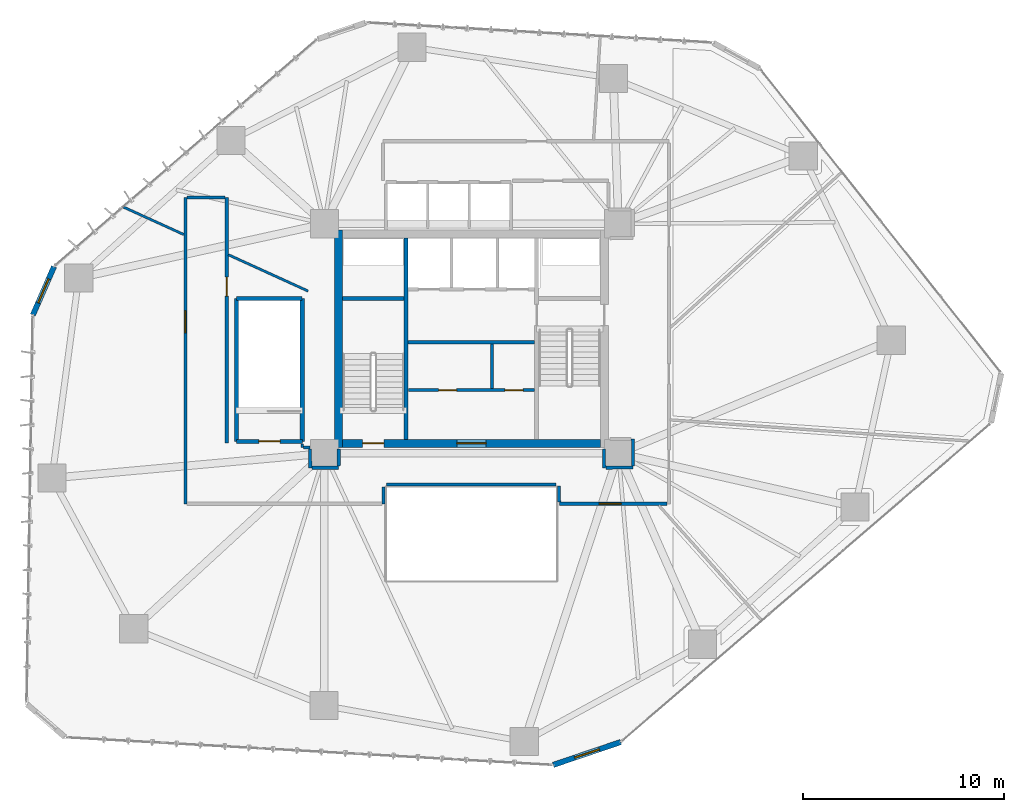
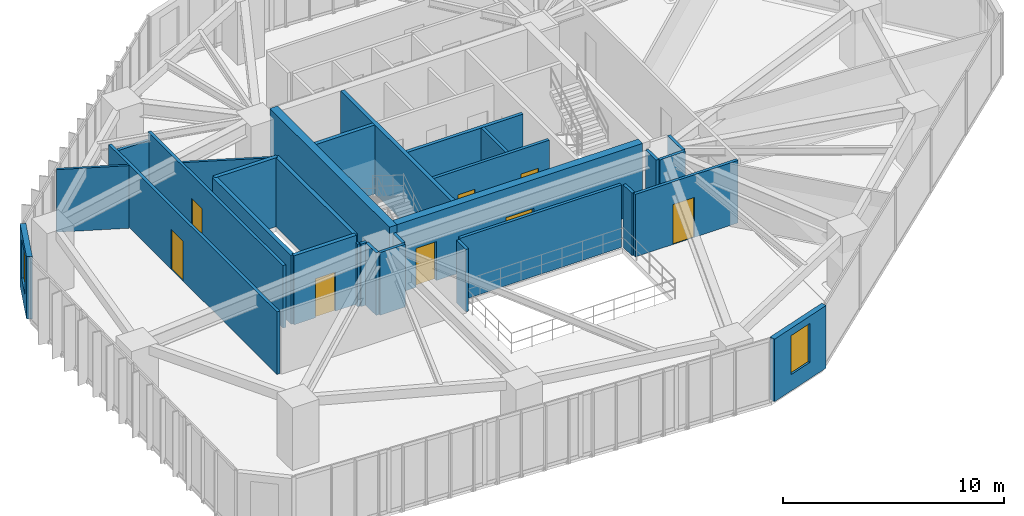
# One storey, part 19 of 24: 30 walls, 8 doors, 2 windows, 10 openings.
"""IFC4 building model written with IfcOpenShell, lengths in metres."""

from ifc_helpers import new_model, si_unit, direction, frame, frame_2d, origin, place, context, subcontext, project, spatial, rectangle, extrude, source, transform, mapped, material, layer, layer_set, type_object, type_shapes, element, fill, save


model = new_model("IFC4")

# Units and contexts
model_context = context("Model", 3, precision=1e-05, world=origin(), true_north=direction((0.0, 1.0)))
body_context = subcontext(model_context, "Body", "Model", "MODEL_VIEW")
ifc_project = project(units=[si_unit("LENGTHUNIT", "METRE"), si_unit("AREAUNIT", "SQUARE_METRE"), si_unit("VOLUMEUNIT", "CUBIC_METRE"), si_unit("PLANEANGLEUNIT", "RADIAN"), si_unit("MASSUNIT", "GRAM", prefix="KILO")], contexts=[model_context])

# Site, building, storey
site_placement = place(None, origin())
site = spatial("IfcSite", under=ifc_project, at=site_placement, CompositionType="ELEMENT")
building_placement = place(site_placement, origin())
building = spatial("IfcBuilding", under=site, at=building_placement, Name="Talar Marvaseh", CompositionType="ELEMENT")
storey_placement = place(building_placement, frame((0.0, 0.0, 81.0)))
storey = spatial("IfcBuildingStorey", under=building, at=storey_placement, Name="L20", CompositionType="ELEMENT", Elevation=81.0)

# Wall, opening, window
ifc_material_1 = material(Name="Precast concrete C45/55", Category="concrete")
ifc_layer_1 = layer(ifc_material_1, 0.27001953125)
ifc_layer_set_1 = layer_set([ifc_layer_1], Name="Precast concrete C45/55")
wall_type_1 = type_object("IfcWallType", Name="Chamfered Hexagonal Corner Pier Wall Z1 270", PredefinedType="SOLIDWALL", material=ifc_layer_set_1)
wall_1_placement = place(storey_placement, frame((4.22412109375, 32.371337890625, 0.0), z_axis=(0.0, 0.0, 1.0), x_axis=(0.400726074831, 0.916197911453, 0.0)))
wall_1 = element("IfcWall", 1, at=wall_1_placement, inside=storey, type_object=wall_type_1, Name="L20 Chamfered Corner Limestone Pier 2", PredefinedType="SOLIDWALL", context=body_context, shape_type="SweptSolid", body=[
    extrude(rectangle(XDim=2.623291015625, YDim=0.27001953125, at=frame_2d((1.3115234375, 0.0))), origin(), (0.0, 0.0, 1.0), 3.449951171875),
])
opening_1_placement = place(wall_1_placement, frame((0.662109375, 0.0, 0.89990234375)))
opening_1 = element("IfcOpeningElement", 2, at=opening_1_placement, cuts=wall_1, Name="Opening WN-CHM13", PredefinedType="OPENING", context=body_context, shape_type="SweptSolid", body=[
    extrude(rectangle(XDim=1.300048828125, YDim=2.14990234375, at=frame_2d((0.64990234375, 1.074951171875))), frame((0.0, 0.14501953125, 0.0), z_axis=(0.0, -1.0, 0.0), x_axis=(1.0, 0.0, 0.0)), (0.0, 0.0, 1.0), 0.2900390625),
])
ifc_material_2 = material(Name="Laminated Low-E Solar Glass", Category="glass")
window_type = type_object("IfcWindowType", Name="Zone 1 Chamfered Corner Slot Window 1300x2150", PartitioningType="SINGLE_PANEL", PredefinedType="WINDOW", material=ifc_material_2)
shared_shape_1 = source(origin(), body_context, "Body", "SweptSolid", [
    extrude(rectangle(XDim=1.300048828125, YDim=2.14990234375, at=frame_2d((0.64990234375, 1.074951171875))), frame((0.0, 0.030029296875, 0.0), z_axis=(0.0, -1.0, 0.0), x_axis=(1.0, 0.0, 0.0)), (0.0, 0.0, 1.0), 0.06005859375),
])
type_shapes(window_type, [shared_shape_1])
window_1_placement = place(opening_1_placement, origin())
window_1 = element("IfcWindow", 3, at=window_1_placement, inside=storey, type_object=window_type, Name="L20 Chamfered Corner Slot Window", OverallHeight=2.14990234375, OverallWidth=1.300048828125, PartitioningType="SINGLE_PANEL", PredefinedType="WINDOW", context=body_context, shape_type="MappedRepresentation", body=[
    mapped(shared_shape_1, transform((0.0, 0.0, 0.0), x_axis=(1.0, 0.0, 0.0), y_axis=(0.0, 1.0, 0.0), z_axis=(0.0, 0.0, 1.0), scale=1.0)),
])
fill(opening_1, window_1)

wall_2_placement = place(storey_placement, frame((33.41064453125, 11.16943359375, 0.0), z_axis=(0.0, 0.0, 1.0), x_axis=(-0.946922041675, -0.321463290269, 0.0)))
wall_2 = element("IfcWall", 4, at=wall_2_placement, inside=storey, type_object=wall_type_1, Name="L20 Chamfered Corner Limestone Pier 6", PredefinedType="SOLIDWALL", context=body_context, shape_type="SweptSolid", body=[
    extrude(rectangle(XDim=3.5361328125, YDim=0.27001953125, at=frame_2d((1.76806640625, 0.0))), origin(), (0.0, 0.0, 1.0), 3.449951171875),
])
opening_2_placement = place(wall_2_placement, frame((1.117919921875, 0.0, 0.89990234375)))
opening_2 = element("IfcOpeningElement", 5, at=opening_2_placement, cuts=wall_2, Name="Opening WN-CHM13", PredefinedType="OPENING", context=body_context, shape_type="SweptSolid", body=[
    extrude(rectangle(XDim=1.300048828125, YDim=2.14990234375, at=frame_2d((0.64990234375, 1.074951171875))), frame((0.0, 0.14501953125, 0.0), z_axis=(0.0, -1.0, 0.0), x_axis=(1.0, 0.0, 0.0)), (0.0, 0.0, 1.0), 0.2900390625),
])
window_2_placement = place(opening_2_placement, origin())
window_2 = element("IfcWindow", 6, at=window_2_placement, inside=storey, type_object=window_type, Name="L20 Chamfered Corner Slot Window", OverallHeight=2.14990234375, OverallWidth=1.300048828125, PartitioningType="SINGLE_PANEL", PredefinedType="WINDOW", context=body_context, shape_type="MappedRepresentation", body=[
    mapped(shared_shape_1, transform((0.0, 0.0, 0.0), x_axis=(1.0, 0.0, 0.0), y_axis=(0.0, 1.0, 0.0), z_axis=(0.0, 0.0, 1.0), scale=1.0)),
])
fill(opening_2, window_2)

# Wall, openings, doors
ifc_material_3 = material(Name="Gypsum Board Partition Assembly")
ifc_layer_2 = layer(ifc_material_3, 0.155029296875)
ifc_layer_set_2 = layer_set([ifc_layer_2], Name="Gypsum Board Partition Assembly")
wall_type_2 = type_object("IfcWallType", Name="Corridor Fire-Rated Acoustic Partition 155", PredefinedType="PARTITIONING", material=ifc_layer_set_2)
wall_3_placement = place(storey_placement, frame((22.865966796875, 28.639892578125, 0.0), z_axis=(0.0, 0.0, 1.0), x_axis=(1.0, 0.0, 0.0)))
wall_3 = element("IfcWall", 7, at=wall_3_placement, inside=storey, type_object=wall_type_2, Name="L20 Core BOH Partition", PredefinedType="PARTITIONING", context=body_context, shape_type="SweptSolid", body=[
    extrude(rectangle(XDim=6.26806640625, YDim=0.155029296875, at=frame_2d((3.134033203125, 0.0))), origin(), (0.0, 0.0, 1.0), 3.449951171875),
])
opening_3_placement = place(wall_3_placement, frame((1.5, 0.0, 0.0)))
opening_3 = element("IfcOpeningElement", 8, at=opening_3_placement, cuts=wall_3, Name="Opening DR-BOH090", PredefinedType="OPENING", context=body_context, shape_type="SweptSolid", body=[
    extrude(rectangle(XDim=0.89990234375, YDim=2.10009765625, at=frame_2d((0.449951171875, 1.050048828125))), frame((0.0, 0.08740234375, 0.0), z_axis=(0.0, -1.0, 0.0), x_axis=(1.0, 0.0, 0.0)), (0.0, 0.0, 1.0), 0.175048828125),
])
opening_4_placement = place(wall_3_placement, frame((4.800048828125, 0.0, 0.0)))
opening_4 = element("IfcOpeningElement", 9, at=opening_4_placement, cuts=wall_3, Name="Opening DR-BOH090", PredefinedType="OPENING", context=body_context, shape_type="SweptSolid", body=[
    extrude(rectangle(XDim=0.89990234375, YDim=2.10009765625, at=frame_2d((0.449951171875, 1.050048828125))), frame((0.0, 0.08740234375, 0.0), z_axis=(0.0, -1.0, 0.0), x_axis=(1.0, 0.0, 0.0)), (0.0, 0.0, 1.0), 0.175048828125),
])
ifc_material_4 = material(Name="Fire-Rated Steel Door Leaf", Category="steel")
door_type_1 = type_object("IfcDoorType", Name="Core Back-of-House Service Door 900x2100", OperationType="NOTDEFINED", PredefinedType="DOOR", material=ifc_material_4)
shared_shape_2 = source(origin(), body_context, "Body", "SweptSolid", [
    extrude(rectangle(XDim=0.89990234375, YDim=2.10009765625, at=frame_2d((0.449951171875, 1.050048828125))), frame((0.0, 0.02490234375, 0.0), z_axis=(0.0, -1.0, 0.0), x_axis=(1.0, 0.0, 0.0)), (0.0, 0.0, 1.0), 0.050048828125),
])
type_shapes(door_type_1, [shared_shape_2])
door_1_placement = place(opening_3_placement, origin())
door_1 = element("IfcDoor", 10, at=door_1_placement, inside=storey, type_object=door_type_1, Name="L20 Plant Core Comms Switch Room Door", OperationType="SINGLE_SWING_LEFT", OverallHeight=2.10009765625, OverallWidth=0.89990234375, PredefinedType="DOOR", context=body_context, shape_type="MappedRepresentation", body=[
    mapped(shared_shape_2, transform((0.0, 0.0, 0.0), x_axis=(1.0, 0.0, 0.0), y_axis=(0.0, 1.0, 0.0), z_axis=(0.0, 0.0, 1.0), scale=1.0)),
])
fill(opening_3, door_1)
door_2_placement = place(opening_4_placement, origin())
door_2 = element("IfcDoor", 11, at=door_2_placement, inside=storey, type_object=door_type_1, Name="L20 Cleaner Cupboard Door", OperationType="SINGLE_SWING_RIGHT", OverallHeight=2.10009765625, OverallWidth=0.89990234375, PredefinedType="DOOR", context=body_context, shape_type="MappedRepresentation", body=[
    mapped(shared_shape_2, transform((0.0, 0.0, 0.0), x_axis=(1.0, 0.0, 0.0), y_axis=(0.0, 1.0, 0.0), z_axis=(0.0, 0.0, 1.0), scale=1.0)),
])
fill(opening_4, door_2)

# Wall
wall_4_placement = place(storey_placement, frame((27.02001953125, 28.719970703125, 0.0), z_axis=(0.0, 0.0, 1.0), x_axis=(0.0, 1.0, 0.0)))
element("IfcWall", 12, at=wall_4_placement, inside=storey, type_object=wall_type_2, Name="L20 Core BOH Partition", PredefinedType="PARTITIONING", context=body_context, shape_type="SweptSolid", body=[
    extrude(rectangle(XDim=2.219970703125, YDim=0.155029296875, at=frame_2d((1.10986328125, 0.0))), origin(), (0.0, 0.0, 1.0), 3.449951171875),
])

# Wall, opening, door
wall_5_placement = place(storey_placement, frame((11.800048828125, 23.0, 0.0), z_axis=(0.0, 0.0, 1.0), x_axis=(0.0, 1.0, 0.0)))
wall_5 = element("IfcWall", 13, at=wall_5_placement, inside=storey, type_object=wall_type_2, Name="L20 Interior Partition Wall", PredefinedType="PARTITIONING", context=body_context, shape_type="SweptSolid", body=[
    extrude(rectangle(XDim=15.199951171875, YDim=0.155029296875, at=frame_2d((7.60009765625, 0.0))), origin(), (0.0, 0.0, 1.0), 3.449951171875),
])
opening_5_placement = place(wall_5_placement, frame((8.478271484375, 0.0, 0.0)))
opening_5 = element("IfcOpeningElement", 14, at=opening_5_placement, cuts=wall_5, Name="Opening DR-RM110", PredefinedType="OPENING", context=body_context, shape_type="SweptSolid", body=[
    extrude(rectangle(XDim=1.10009765625, YDim=2.199951171875, at=frame_2d((0.550048828125, 1.10009765625))), frame((0.0, 0.08740234375, 0.0), z_axis=(0.0, -1.0, 0.0), x_axis=(1.0, 0.0, 0.0)), (0.0, 0.0, 1.0), 0.175048828125),
])
ifc_material_5 = material(Name="Acoustic Engineered Oak Timber", Category="wood")
door_type_2 = type_object("IfcDoorType", Name="Assembly and Reading Hall Door 1100x2200", OperationType="NOTDEFINED", PredefinedType="DOOR", material=ifc_material_5)
shared_shape_3 = source(origin(), body_context, "Body", "SweptSolid", [
    extrude(rectangle(XDim=1.10009765625, YDim=2.199951171875, at=frame_2d((0.550048828125, 1.10009765625))), frame((0.0, 0.02490234375, 0.0), z_axis=(0.0, -1.0, 0.0), x_axis=(1.0, 0.0, 0.0)), (0.0, 0.0, 1.0), 0.050048828125),
])
type_shapes(door_type_2, [shared_shape_3])
door_3_placement = place(opening_5_placement, origin())
door_3 = element("IfcDoor", 15, at=door_3_placement, inside=storey, type_object=door_type_2, Name="L20 Gallery Security Control Room Door", OperationType="SINGLE_SWING_RIGHT", OverallHeight=2.199951171875, OverallWidth=1.10009765625, PredefinedType="DOOR", context=body_context, shape_type="MappedRepresentation", body=[
    mapped(shared_shape_3, transform((0.0, 0.0, 0.0), x_axis=(1.0, 0.0, 0.0), y_axis=(0.0, 1.0, 0.0), z_axis=(0.0, 0.0, 1.0), scale=1.0)),
])
fill(opening_5, door_3)

wall_6_placement = place(storey_placement, frame((13.85009765625, 38.199951171875, 0.0), z_axis=(0.0, 0.0, 1.0), x_axis=(0.0, -1.0, 0.0)))
wall_6 = element("IfcWall", 16, at=wall_6_placement, inside=storey, type_object=wall_type_2, Name="L20 Interior Partition Wall", PredefinedType="PARTITIONING", context=body_context, shape_type="SweptSolid", body=[
    extrude(rectangle(XDim=12.179931640625, YDim=0.155029296875, at=frame_2d((6.08984375, 0.0))), origin(), (0.0, 0.0, 1.0), 3.449951171875),
])
opening_6_placement = place(wall_6_placement, frame((3.945068359375, 0.0, 0.0)))
opening_6 = element("IfcOpeningElement", 17, at=opening_6_placement, cuts=wall_6, Name="Opening DR-WC095", PredefinedType="OPENING", context=body_context, shape_type="SweptSolid", body=[
    extrude(rectangle(XDim=0.949951171875, YDim=2.14990234375, at=frame_2d((0.47509765625, 1.074951171875))), frame((0.0, 0.08740234375, 0.0), z_axis=(0.0, -1.0, 0.0), x_axis=(1.0, 0.0, 0.0)), (0.0, 0.0, 1.0), 0.175048828125),
])
door_type_3 = type_object("IfcDoorType", Name="Washroom and Service Room Door 950x2150", OperationType="NOTDEFINED", PredefinedType="DOOR", material=ifc_material_5)
shared_shape_4 = source(origin(), body_context, "Body", "SweptSolid", [
    extrude(rectangle(XDim=0.949951171875, YDim=2.14990234375, at=frame_2d((0.47509765625, 1.074951171875))), frame((0.0, 0.02490234375, 0.0), z_axis=(0.0, -1.0, 0.0), x_axis=(1.0, 0.0, 0.0)), (0.0, 0.0, 1.0), 0.050048828125),
])
type_shapes(door_type_3, [shared_shape_4])
door_4_placement = place(opening_6_placement, origin())
door_4 = element("IfcDoor", 18, at=door_4_placement, inside=storey, type_object=door_type_3, Name="L20 WC Public Washrooms Door", OperationType="SINGLE_SWING_LEFT", OverallHeight=2.14990234375, OverallWidth=0.949951171875, PredefinedType="DOOR", context=body_context, shape_type="MappedRepresentation", body=[
    mapped(shared_shape_4, transform((0.0, 0.0, 0.0), x_axis=(1.0, 0.0, 0.0), y_axis=(0.0, 1.0, 0.0), z_axis=(0.0, 0.0, 1.0), scale=1.0)),
])
fill(opening_6, door_4)

wall_7_placement = place(storey_placement, frame((35.716552734375, 23.0, 0.0), z_axis=(0.0, 0.0, 1.0), x_axis=(-1.0, 0.0, 0.0)))
wall_7 = element("IfcWall", 19, at=wall_7_placement, inside=storey, type_object=wall_type_2, Name="L20 Interior Partition Wall", PredefinedType="PARTITIONING", context=body_context, shape_type="SweptSolid", body=[
    extrude(rectangle(XDim=5.3564453125, YDim=0.155029296875, at=frame_2d((2.67822265625, 0.0))), origin(), (0.0, 0.0, 1.0), 3.449951171875),
])
opening_7_placement = place(wall_7_placement, frame((2.27978515625, 0.0, 0.0)))
opening_7 = element("IfcOpeningElement", 20, at=opening_7_placement, cuts=wall_7, Name="Opening DR-RM110", PredefinedType="OPENING", context=body_context, shape_type="SweptSolid", body=[
    extrude(rectangle(XDim=1.10009765625, YDim=2.199951171875, at=frame_2d((0.550048828125, 1.10009765625))), frame((0.0, 0.08740234375, 0.0), z_axis=(0.0, -1.0, 0.0), x_axis=(1.0, 0.0, 0.0)), (0.0, 0.0, 1.0), 0.175048828125),
])
door_5_placement = place(opening_7_placement, origin())
door_5 = element("IfcDoor", 21, at=door_5_placement, inside=storey, type_object=door_type_2, Name="L20 Exhibition Gallery Door", OperationType="SINGLE_SWING_LEFT", OverallHeight=2.199951171875, OverallWidth=1.10009765625, PredefinedType="DOOR", context=body_context, shape_type="MappedRepresentation", body=[
    mapped(shared_shape_3, transform((0.0, 0.0, 0.0), x_axis=(1.0, 0.0, 0.0), y_axis=(0.0, 1.0, 0.0), z_axis=(0.0, 0.0, 1.0), scale=1.0)),
])
fill(opening_7, door_5)

# Walls
wall_8_placement = place(storey_placement, frame((30.199951171875, 23.9599609375, 0.0), z_axis=(0.0, 0.0, 1.0), x_axis=(-0.999999996213, -8.7029677e-05, 0.0)))
element("IfcWall", 22, at=wall_8_placement, inside=storey, type_object=wall_type_2, Name="L20 Interior Partition Wall", PredefinedType="PARTITIONING", context=body_context, shape_type="SweptSolid", body=[
    extrude(rectangle(XDim=8.415771484375, YDim=0.155029296875, at=frame_2d((4.2080078125, 0.0))), origin(), (0.0, 0.0, 1.0), 3.449951171875),
])
wall_9_placement = place(storey_placement, frame((21.64306640625, 23.831298828125, 0.0), z_axis=(0.0, 0.0, 1.0), x_axis=(-0.003817887006, -0.999992711843, 0.0)))
element("IfcWall", 23, at=wall_9_placement, inside=storey, type_object=wall_type_2, Name="L20 Interior Partition Wall", PredefinedType="PARTITIONING", context=body_context, shape_type="SweptSolid", body=[
    extrude(rectangle(XDim=0.831298828125, YDim=0.155029296875, at=frame_2d((0.41552734375, 0.0))), origin(), (0.0, 0.0, 1.0), 3.449951171875),
])
wall_10_placement = place(storey_placement, frame((11.883544921875, 38.199951171875, 0.0), z_axis=(0.0, 0.0, 1.0), x_axis=(1.0, 0.0, 0.0)))
element("IfcWall", 24, at=wall_10_placement, inside=storey, type_object=wall_type_2, Name="L20 Interior Partition Wall", PredefinedType="PARTITIONING", context=body_context, shape_type="SweptSolid", body=[
    extrude(rectangle(XDim=1.883056640625, YDim=0.155029296875, at=frame_2d((0.94140625, 0.0))), origin(), (0.0, 0.0, 1.0), 3.011962890625),
])
wall_11_placement = place(storey_placement, frame((17.666015625, 25.800048828125, 0.0), z_axis=(0.0, 0.0, 1.0), x_axis=(1.0, 0.0, 0.0)))
element("IfcWall", 25, at=wall_11_placement, inside=storey, type_object=wall_type_2, Name="L20 Interior Partition Wall", PredefinedType="PARTITIONING", context=body_context, shape_type="SweptSolid", body=[
    extrude(rectangle(XDim=0.319091796875, YDim=0.155029296875, at=frame_2d((0.15966796875, 0.0))), origin(), (0.0, 0.0, 1.0), 3.449951171875),
])
wall_12_placement = place(storey_placement, frame((17.986083984375, 25.716552734375, 0.0), z_axis=(0.0, 0.0, 1.0), x_axis=(0.013367088724, -0.999910656478, 0.0)))
element("IfcWall", 26, at=wall_12_placement, inside=storey, type_object=wall_type_2, Name="L20 Interior Partition Wall", PredefinedType="PARTITIONING", context=body_context, shape_type="SweptSolid", body=[
    extrude(rectangle(XDim=0.931396484375, YDim=0.155029296875, at=frame_2d((0.4658203125, 0.0))), origin(), (0.0, 0.0, 1.0), 3.449951171875),
])
wall_13_placement = place(storey_placement, frame((18.08203125, 24.78515625, 0.0), z_axis=(0.0, 0.0, 1.0), x_axis=(0.99999830547, 0.001840939443, 0.0)))
element("IfcWall", 27, at=wall_13_placement, inside=storey, type_object=wall_type_2, Name="L20 Interior Partition Wall", PredefinedType="PARTITIONING", context=body_context, shape_type="SweptSolid", body=[
    extrude(rectangle(XDim=1.326171875, YDim=0.155029296875, at=frame_2d((0.6630859375, 0.0))), origin(), (0.0, 0.0, 1.0), 3.449951171875),
])
wall_14_placement = place(storey_placement, frame((19.408935546875, 24.87109375, 0.0), z_axis=(0.0, 0.0, 1.0), x_axis=(0.007106130977, 0.999974751133, 0.0)))
element("IfcWall", 28, at=wall_14_placement, inside=storey, type_object=wall_type_2, Name="L20 Interior Partition Wall", PredefinedType="PARTITIONING", context=body_context, shape_type="SweptSolid", body=[
    extrude(rectangle(XDim=0.85888671875, YDim=0.155029296875, at=frame_2d((0.429443359375, 0.0))), origin(), (0.0, 0.0, 1.0), 3.449951171875),
])
wall_15_placement = place(storey_placement, frame((32.5849609375, 25.72998046875, 0.0), z_axis=(0.0, 0.0, 1.0), x_axis=(0.007253695172, -0.999973691607, 0.0)))
element("IfcWall", 29, at=wall_15_placement, inside=storey, type_object=wall_type_2, Name="L20 Interior Partition Wall", PredefinedType="PARTITIONING", context=body_context, shape_type="SweptSolid", body=[
    extrude(rectangle(XDim=0.9423828125, YDim=0.155029296875, at=frame_2d((0.47119140625, 0.0))), origin(), (0.0, 0.0, 1.0), 3.449951171875),
])
wall_16_placement = place(storey_placement, frame((32.67529296875, 24.788330078125, 0.0), z_axis=(0.0, 0.0, 1.0), x_axis=(0.999961738884, 0.008747614993, 0.0)))
element("IfcWall", 30, at=wall_16_placement, inside=storey, type_object=wall_type_2, Name="L20 Interior Partition Wall", PredefinedType="PARTITIONING", context=body_context, shape_type="SweptSolid", body=[
    extrude(rectangle(XDim=1.339599609375, YDim=0.155029296875, at=frame_2d((0.669921875, 0.0))), origin(), (0.0, 0.0, 1.0), 3.449951171875),
])
wall_17_placement = place(storey_placement, frame((34.014892578125, 24.883544921875, 0.0), z_axis=(0.0, 0.0, 1.0), x_axis=(-0.002393659134, 0.999997135194, 0.0)))
element("IfcWall", 31, at=wall_17_placement, inside=storey, type_object=wall_type_2, Name="L20 Interior Partition Wall", PredefinedType="PARTITIONING", context=body_context, shape_type="SweptSolid", body=[
    extrude(rectangle(XDim=1.325927734375, YDim=0.155029296875, at=frame_2d((0.6630859375, 0.0))), origin(), (0.0, 0.0, 1.0), 3.449951171875),
])
wall_18_placement = place(storey_placement, frame((30.358154296875, 23.08349609375, 0.0), z_axis=(0.0, 0.0, 1.0), x_axis=(-0.021573276475, 0.999767269789, 0.0)))
element("IfcWall", 32, at=wall_18_placement, inside=storey, type_object=wall_type_2, Name="L20 Interior Partition Wall", PredefinedType="PARTITIONING", context=body_context, shape_type="SweptSolid", body=[
    extrude(rectangle(XDim=0.792236328125, YDim=0.155029296875, at=frame_2d((0.39599609375, 0.0))), origin(), (0.0, 0.0, 1.0), 3.449951171875),
])
ifc_layer_3 = layer(ifc_material_3, 0.1201171875)
ifc_layer_set_3 = layer_set([ifc_layer_3], Name="Gypsum Board Partition Assembly")
wall_type_3 = type_object("IfcWallType", Name="Demountable Studio Room Partition 120", PredefinedType="PARTITIONING", material=ifc_layer_set_3)
wall_19_placement = place(storey_placement, frame((17.60009765625, 25.96240234375, 0.0), z_axis=(0.0, 0.0, 1.0), x_axis=(0.0, -1.0, 0.0)))
element("IfcWall", 33, at=wall_19_placement, inside=storey, type_object=wall_type_3, Name="L20 Interior Partition Wall", PredefinedType="PARTITIONING", context=body_context, shape_type="SweptSolid", body=[
    extrude(rectangle(XDim=0.1748046875, YDim=0.1201171875, at=frame_2d((0.08740234375, 0.0))), origin(), (0.0, 0.0, 1.0), 3.449951171875),
])
wall_20_placement = place(storey_placement, frame((17.889892578125, 33.56005859375, 0.0), z_axis=(0.0, 0.0, 1.0), x_axis=(-0.910046949834, 0.414505185852, 0.0)))
element("IfcWall", 34, at=wall_20_placement, inside=storey, type_object=wall_type_3, Name="L20 Interior Partition Wall", PredefinedType="PARTITIONING", context=body_context, shape_type="SweptSolid", body=[
    extrude(rectangle(XDim=4.347412109375, YDim=0.1201171875, at=frame_2d((2.173828125, 0.0))), origin(), (0.0, 0.0, 1.0), 3.449951171875),
])
wall_21_placement = place(storey_placement, frame((11.716552734375, 36.367919921875, 0.0), z_axis=(0.0, 0.0, 1.0), x_axis=(-0.910147724512, 0.414283863511, 0.0)))
element("IfcWall", 35, at=wall_21_placement, inside=storey, type_object=wall_type_3, Name="L20 Interior Partition Wall", PredefinedType="PARTITIONING", context=body_context, shape_type="SweptSolid", body=[
    extrude(rectangle(XDim=3.288818359375, YDim=0.1201171875, at=frame_2d((1.64453125, 0.0))), origin(), (0.0, 0.0, 1.0), 3.449951171875),
])
ifc_layer_4 = layer(ifc_material_1, 0.175048828125)
ifc_layer_set_4 = layer_set([ifc_layer_4], Name="Precast concrete C45/55")
wall_type_4 = type_object("IfcWallType", Name="Fire-Rated Lift Hoistway Enclosure Wall 175", PredefinedType="SOLIDWALL", material=ifc_layer_set_4)
wall_22_placement = place(storey_placement, frame((22.860107421875, 31.02001953125, 0.0), z_axis=(0.0, 0.0, 1.0), x_axis=(1.0, 0.0, 0.0)))
element("IfcWall", 36, at=wall_22_placement, inside=storey, type_object=wall_type_4, Name="L20 Firefighting Lobby South Smoke Wall", PredefinedType="SOLIDWALL", context=body_context, shape_type="SweptSolid", body=[
    extrude(rectangle(XDim=6.27978515625, YDim=0.175048828125, at=frame_2d((3.139892578125, 0.0))), origin(), (0.0, 0.0, 1.0), 3.449951171875),
])
ifc_material_6 = material(Name="Concrete C70/85", Category="concrete")
ifc_layer_5 = layer(ifc_material_6, 0.39990234375)
ifc_layer_set_5 = layer_set([ifc_layer_5], Name="Concrete C70/85")
wall_type_5 = type_object("IfcWallType", Name="Lower Core Reinforced Concrete Shear Wall 400", PredefinedType="SHEAR", material=ifc_layer_set_5)
wall_23_placement = place(storey_placement, frame((19.39990234375, 25.800048828125, 0.0), z_axis=(0.0, 0.0, 1.0), x_axis=(0.0, 1.0, 0.0)))
element("IfcWall", 37, at=wall_23_placement, inside=storey, type_object=wall_type_5, Name="L20 West Core Shear Wall", PredefinedType="SHEAR", context=body_context, shape_type="SweptSolid", body=[
    extrude(rectangle(XDim=10.800048828125, YDim=0.39990234375, at=frame_2d((5.39990234375, 0.0))), origin(), (0.0, 0.0, 1.0), 3.800048828125),
])

# Wall, openings, doors
wall_24_placement = place(storey_placement, frame((32.39990234375, 26.0, 0.0), z_axis=(0.0, 0.0, 1.0), x_axis=(-1.0, 0.0, 0.0)))
wall_24 = element("IfcWall", 38, at=wall_24_placement, inside=storey, type_object=wall_type_5, Name="L20 South Core Shear Wall", PredefinedType="SHEAR", context=body_context, shape_type="SweptSolid", body=[
    extrude(rectangle(XDim=12.7998046875, YDim=0.39990234375, at=frame_2d((6.39990234375, 0.0))), origin(), (0.0, 0.0, 1.0), 3.800048828125),
])
opening_8_placement = place(wall_24_placement, frame((10.75, 0.0, 0.0)))
opening_8 = element("IfcOpeningElement", 39, at=opening_8_placement, cuts=wall_24, Name="Opening DR-ST105", PredefinedType="OPENING", context=body_context, shape_type="SweptSolid", body=[
    extrude(rectangle(XDim=1.050048828125, YDim=2.14990234375, at=frame_2d((0.52490234375, 1.074951171875))), frame((0.0, 0.2099609375, 0.0), z_axis=(0.0, -1.0, 0.0), x_axis=(1.0, 0.0, 0.0)), (0.0, 0.0, 1.0), 0.419921875),
])
opening_9_placement = place(wall_24_placement, frame((5.669921875, 0.0, 0.0)))
opening_9 = element("IfcOpeningElement", 40, at=opening_9_placement, cuts=wall_24, Name="Opening DR-LBY145", PredefinedType="OPENING", context=body_context, shape_type="SweptSolid", body=[
    extrude(rectangle(XDim=1.449951171875, YDim=2.199951171875, at=frame_2d((0.72509765625, 1.10009765625))), frame((0.0, 0.2099609375, 0.0), z_axis=(0.0, -1.0, 0.0), x_axis=(1.0, 0.0, 0.0)), (0.0, 0.0, 1.0), 0.419921875),
])
door_type_4 = type_object("IfcDoorType", Name="Protected Exit Stair Fire Door 1050x2150", OperationType="NOTDEFINED", PredefinedType="DOOR", material=ifc_material_4)
shared_shape_5 = source(origin(), body_context, "Body", "SweptSolid", [
    extrude(rectangle(XDim=1.050048828125, YDim=2.14990234375, at=frame_2d((0.52490234375, 1.074951171875))), frame((0.0, 0.02490234375, 0.0), z_axis=(0.0, -1.0, 0.0), x_axis=(1.0, 0.0, 0.0)), (0.0, 0.0, 1.0), 0.050048828125),
])
type_shapes(door_type_4, [shared_shape_5])
door_6_placement = place(opening_8_placement, origin())
door_6 = element("IfcDoor", 41, at=door_6_placement, inside=storey, type_object=door_type_4, Name="L20 Stair ST-1 Exit Door", OperationType="SINGLE_SWING_RIGHT", OverallHeight=2.14990234375, OverallWidth=1.050048828125, PredefinedType="DOOR", context=body_context, shape_type="MappedRepresentation", body=[
    mapped(shared_shape_5, transform((0.0, 0.0, 0.0), x_axis=(1.0, 0.0, 0.0), y_axis=(0.0, 1.0, 0.0), z_axis=(0.0, 0.0, 1.0), scale=1.0)),
])
fill(opening_8, door_6)
door_type_5 = type_object("IfcDoorType", Name="Core Lift Lobby Double Smoke Door 1450x2200", OperationType="NOTDEFINED", PredefinedType="DOOR", material=ifc_material_4)
shared_shape_6 = source(origin(), body_context, "Body", "SweptSolid", [
    extrude(rectangle(XDim=1.449951171875, YDim=2.199951171875, at=frame_2d((0.72509765625, 1.10009765625))), frame((0.0, 0.02490234375, 0.0), z_axis=(0.0, -1.0, 0.0), x_axis=(1.0, 0.0, 0.0)), (0.0, 0.0, 1.0), 0.050048828125),
])
type_shapes(door_type_5, [shared_shape_6])
door_7_placement = place(opening_9_placement, origin())
door_7 = element("IfcDoor", 42, at=door_7_placement, inside=storey, type_object=door_type_5, Name="L20 Passenger Lift Lobby Entrance Door", OperationType="DOUBLE_DOOR_SINGLE_SWING", OverallHeight=2.199951171875, OverallWidth=1.449951171875, PredefinedType="DOOR", context=body_context, shape_type="MappedRepresentation", body=[
    mapped(shared_shape_6, transform((0.0, 0.0, 0.0), x_axis=(1.0, 0.0, 0.0), y_axis=(0.0, 1.0, 0.0), z_axis=(0.0, 0.0, 1.0), scale=1.0)),
])
fill(opening_9, door_7)

# Walls
ifc_material_7 = material(Name="Concrete C50/60", Category="concrete")
ifc_layer_6 = layer(ifc_material_7, 0.199951171875)
ifc_layer_set_6 = layer_set([ifc_layer_6], Name="Concrete C50/60")
wall_type_6 = type_object("IfcWallType", Name="Stair Shaft Structural Concrete Shear Wall 200", PredefinedType="SHEAR", material=ifc_layer_set_6)
wall_25_placement = place(storey_placement, frame((22.760009765625, 26.199951171875, 0.0), z_axis=(0.0, 0.0, 1.0), x_axis=(0.0, 1.0, 0.0)))
element("IfcWall", 43, at=wall_25_placement, inside=storey, type_object=wall_type_6, Name="L20 Core West Stair Shear Wall", PredefinedType="SHEAR", context=body_context, shape_type="SweptSolid", body=[
    extrude(rectangle(XDim=10.0, YDim=0.199951171875, at=frame_2d((5.0, 0.0))), origin(), (0.0, 0.0, 1.0), 3.800048828125),
])
wall_26_placement = place(storey_placement, frame((19.60009765625, 33.199951171875, 0.0), z_axis=(0.0, 0.0, 1.0), x_axis=(1.0, 0.0, 0.0)))
element("IfcWall", 44, at=wall_26_placement, inside=storey, type_object=wall_type_6, Name="L20 Stair ST-1 North Shear Wall", PredefinedType="SHEAR", context=body_context, shape_type="SweptSolid", body=[
    extrude(rectangle(XDim=3.059814453125, YDim=0.199951171875, at=frame_2d((1.52978515625, 0.0))), origin(), (0.0, 0.0, 1.0), 3.800048828125),
])

# Wall, opening, door
wall_27_placement = place(storey_placement, frame((17.60009765625, 26.10009765625, 0.0), z_axis=(0.0, 0.0, 1.0), x_axis=(-1.0, 0.0, 0.0)))
wall_27 = element("IfcWall", 45, at=wall_27_placement, inside=storey, type_object=wall_type_6, Name="L20 Stair ST-3 South Shear Wall", PredefinedType="SHEAR", context=body_context, shape_type="SweptSolid", body=[
    extrude(rectangle(XDim=3.260009765625, YDim=0.199951171875, at=frame_2d((1.6298828125, 0.0))), origin(), (0.0, 0.0, 1.0), 3.800048828125),
])
opening_10_placement = place(wall_27_placement, frame((1.10009765625, 0.0, 0.0)))
opening_10 = element("IfcOpeningElement", 46, at=opening_10_placement, cuts=wall_27, Name="Opening DR-ST105", PredefinedType="OPENING", context=body_context, shape_type="SweptSolid", body=[
    extrude(rectangle(XDim=1.050048828125, YDim=2.14990234375, at=frame_2d((0.52490234375, 1.074951171875))), frame((0.0, 0.10986328125, 0.0), z_axis=(0.0, -1.0, 0.0), x_axis=(1.0, 0.0, 0.0)), (0.0, 0.0, 1.0), 0.219970703125),
])
door_8_placement = place(opening_10_placement, origin())
door_8 = element("IfcDoor", 47, at=door_8_placement, inside=storey, type_object=door_type_4, Name="L20 Stair ST-3 Exit Door", OperationType="SINGLE_SWING_LEFT", OverallHeight=2.14990234375, OverallWidth=1.050048828125, PredefinedType="DOOR", context=body_context, shape_type="MappedRepresentation", body=[
    mapped(shared_shape_5, transform((0.0, 0.0, 0.0), x_axis=(1.0, 0.0, 0.0), y_axis=(0.0, 1.0, 0.0), z_axis=(0.0, 0.0, 1.0), scale=1.0)),
])
fill(opening_10, door_8)

# Walls
wall_28_placement = place(storey_placement, frame((14.340087890625, 33.199951171875, 0.0), z_axis=(0.0, 0.0, 1.0), x_axis=(1.0, 0.0, 0.0)))
element("IfcWall", 48, at=wall_28_placement, inside=storey, type_object=wall_type_6, Name="L20 Stair ST-3 North Shear Wall", PredefinedType="SHEAR", context=body_context, shape_type="SweptSolid", body=[
    extrude(rectangle(XDim=3.260009765625, YDim=0.199951171875, at=frame_2d((1.6298828125, 0.0))), origin(), (0.0, 0.0, 1.0), 3.800048828125),
])
for number, where, z_axis, x_axis, name in (
    (49, (14.340087890625, 26.10009765625, 0.0), (0.0, 0.0, 1.0), (0.0, 1.0, 0.0), "L20 Stair ST-3 West Shear Wall"),
    (50, (17.60009765625, 26.10009765625, 0.0), (0.0, 0.0, 1.0), (0.0, 1.0, 0.0), "L20 Stair ST-3 East Shear Wall"),
):
    element("IfcWall", number, at=place(storey_placement, frame(where, z_axis=z_axis, x_axis=x_axis)), inside=storey, type_object=wall_type_6, Name=name, PredefinedType="SHEAR", context=body_context, shape_type="SweptSolid", body=[
        extrude(rectangle(XDim=7.099853515625, YDim=0.199951171875, at=frame_2d((3.5498046875, 0.0))), origin(), (0.0, 0.0, 1.0), 3.800048828125),
    ])

save(model, "model.ifc")
